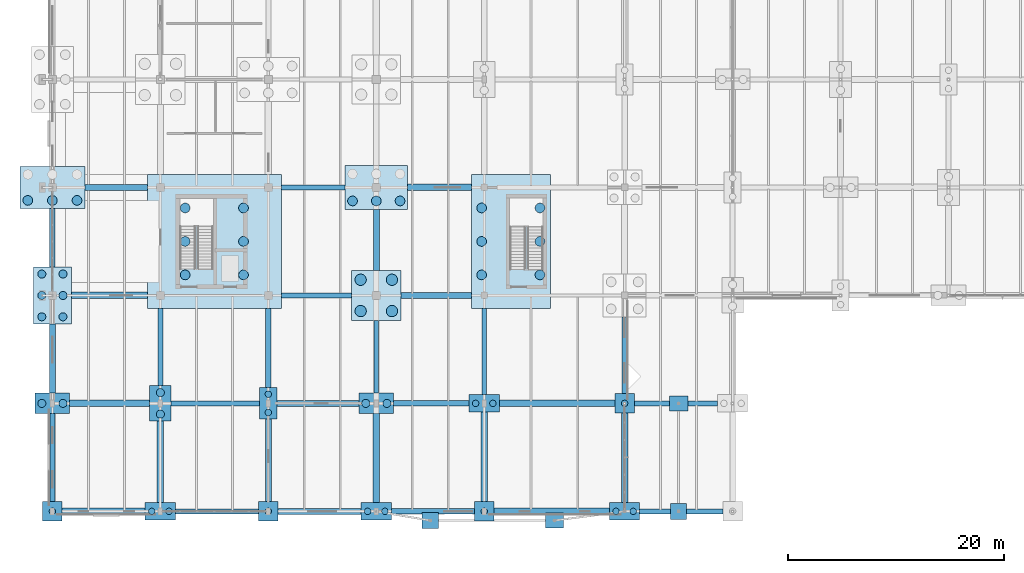
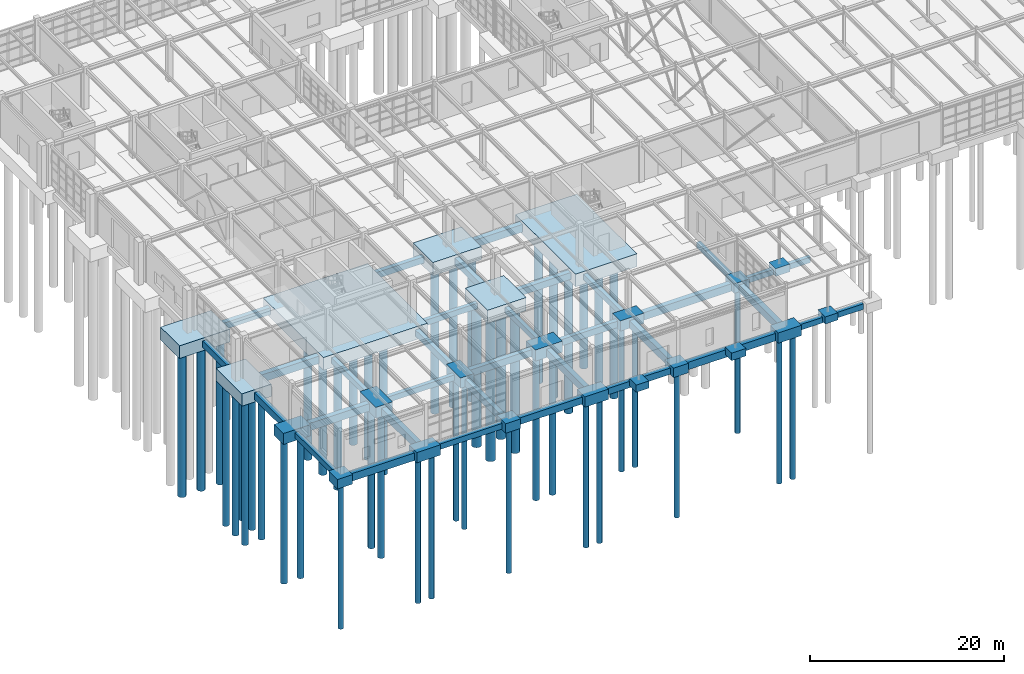
# One storey, part 1 of 145: 54 footings, 48 piles.
"""IFC4 building model written with IfcOpenShell, lengths in metres."""

from ifc_helpers import new_model, si_unit, direction, frame, origin, origin_2d, place, context, subcontext, project, spatial, rectangle, circle, extrude, material, material_profile, profile_set, type_object, element, save


model = new_model("IFC4")

# Units and contexts
model_context = context("Model", 3, precision=1e-05, world=origin(), true_north=direction((0.0, 1.0)))
body_context = subcontext(model_context, "Body", "Model", "MODEL_VIEW")
ifc_project = project(units=[si_unit("LENGTHUNIT", "METRE"), si_unit("AREAUNIT", "SQUARE_METRE"), si_unit("VOLUMEUNIT", "CUBIC_METRE"), si_unit("PLANEANGLEUNIT", "RADIAN"), si_unit("MASSUNIT", "GRAM", prefix="KILO"), si_unit("THERMODYNAMICTEMPERATUREUNIT", "KELVIN"), si_unit("POWERUNIT", "WATT")], contexts=[model_context])

# Site, building, storey
site_placement = place(None, origin())
site = spatial("IfcSite", under=ifc_project, at=site_placement, CompositionType="ELEMENT")
building_placement = place(site_placement, origin())
building = spatial("IfcBuilding", under=site, at=building_placement, Name="Korenveer Ferry Terminal", CompositionType="ELEMENT")
storey_placement = place(building_placement, origin())
storey = spatial("IfcBuildingStorey", under=building, at=storey_placement, Name="L00", CompositionType="ELEMENT", Elevation=0.0)

# Footings
ifc_material_1 = material(Name="Concrete C40/50", Category="concrete")
footing_type_1 = type_object("IfcFootingType", Name="STR-GB-01", PredefinedType="FOOTING_BEAM", material=ifc_material_1)
footing_1_placement = place(storey_placement, frame((35.25, 0.0, -1.14990234375), z_axis=(0.0, 0.0, 1.0), x_axis=(1.0, 0.0, 0.0)))
element("IfcFooting", 1, at=footing_1_placement, inside=storey, type_object=footing_type_1, Name="Ground tie beam 4", PredefinedType="FOOTING_BEAM", context=body_context, shape_type="SweptSolid", body=[
    extrude(rectangle(XDim=7.699951171875, YDim=0.5, at=origin_2d()), origin(), (0.0, 0.0, 1.0), 0.800048828125),
])
footing_2_placement = place(storey_placement, frame((35.10009765625, 10.0, -1.14990234375), z_axis=(0.0, 0.0, 1.0), x_axis=(1.0, 0.0, 0.0)))
element("IfcFooting", 2, at=footing_2_placement, inside=storey, type_object=footing_type_1, Name="Ground tie beam 16", PredefinedType="FOOTING_BEAM", context=body_context, shape_type="SweptSolid", body=[
    extrude(rectangle(XDim=7.0, YDim=0.5, at=origin_2d()), origin(), (0.0, 0.0, 1.0), 0.800048828125),
])
footing_3_placement = place(storey_placement, frame((24.14990234375, 30.0, -1.14990234375), z_axis=(0.0, 0.0, 1.0), x_axis=(1.0, 0.0, 0.0)))
element("IfcFooting", 3, at=footing_3_placement, inside=storey, type_object=footing_type_1, Name="Ground tie beam 40", PredefinedType="FOOTING_BEAM", context=body_context, shape_type="SweptSolid", body=[
    extrude(rectangle(XDim=5.89990234375, YDim=0.5, at=origin_2d()), origin(), (0.0, 0.0, 1.0), 0.800048828125),
])
footing_4_placement = place(storey_placement, frame((0.0, 25.35009765625, -1.14990234375), z_axis=(0.0, 0.0, 1.0), x_axis=(1.0, 0.0, 0.0)))
element("IfcFooting", 4, at=footing_4_placement, inside=storey, type_object=footing_type_1, Name="Ground tie beam 152", PredefinedType="FOOTING_BEAM", context=body_context, shape_type="SweptSolid", body=[
    extrude(rectangle(XDim=0.5, YDim=5.39990234375, at=origin_2d()), origin(), (0.0, 0.0, 1.0), 0.800048828125),
])
footing_5_placement = place(storey_placement, frame((20.0, 15.125, -1.14990234375), z_axis=(0.0, 0.0, 1.0), x_axis=(1.0, 0.0, 0.0)))
element("IfcFooting", 5, at=footing_5_placement, inside=storey, type_object=footing_type_1, Name="Ground tie beam 164", PredefinedType="FOOTING_BEAM", context=body_context, shape_type="SweptSolid", body=[
    extrude(rectangle(XDim=0.5, YDim=7.35009765625, at=origin_2d()), origin(), (0.0, 0.0, 1.0), 0.800048828125),
])
footing_type_2 = type_object("IfcFootingType", Name="STR-GB-02", PredefinedType="FOOTING_BEAM", material=ifc_material_1)
footing_6_placement = place(storey_placement, frame((4.75, 0.0, -1.2998046875), z_axis=(0.0, 0.0, 1.0), x_axis=(1.0, 0.0, 0.0)))
element("IfcFooting", 6, at=footing_6_placement, inside=storey, type_object=footing_type_2, Name="Ground tie beam 1", PredefinedType="FOOTING_BEAM", context=body_context, shape_type="SweptSolid", body=[
    extrude(rectangle(XDim=7.699951171875, YDim=0.60009765625, at=origin_2d()), origin(), (0.0, 0.0, 1.0), 0.949951171875),
])
footing_7_placement = place(storey_placement, frame((46.25, 0.0, -1.2998046875), z_axis=(0.0, 0.0, 1.0), x_axis=(1.0, 0.0, 0.0)))
element("IfcFooting", 7, at=footing_7_placement, inside=storey, type_object=footing_type_2, Name="Ground tie beam 5", PredefinedType="FOOTING_BEAM", context=body_context, shape_type="SweptSolid", body=[
    extrude(rectangle(XDim=10.699951171875, YDim=0.60009765625, at=origin_2d()), origin(), (0.0, 0.0, 1.0), 0.949951171875),
])
footing_8_placement = place(storey_placement, frame((5.300048828125, 10.0, -1.2998046875), z_axis=(0.0, 0.0, 1.0), x_axis=(1.0, 0.0, 0.0)))
element("IfcFooting", 8, at=footing_8_placement, inside=storey, type_object=footing_type_2, Name="Ground tie beam 13", PredefinedType="FOOTING_BEAM", context=body_context, shape_type="SweptSolid", body=[
    extrude(rectangle(XDim=7.39990234375, YDim=0.60009765625, at=origin_2d()), origin(), (0.0, 0.0, 1.0), 0.949951171875),
])
footing_9_placement = place(storey_placement, frame((46.75, 10.0, -1.2998046875), z_axis=(0.0, 0.0, 1.0), x_axis=(1.0, 0.0, 0.0)))
element("IfcFooting", 9, at=footing_9_placement, inside=storey, type_object=footing_type_2, Name="Ground tie beam 17", PredefinedType="FOOTING_BEAM", context=body_context, shape_type="SweptSolid", body=[
    extrude(rectangle(XDim=10.699951171875, YDim=0.60009765625, at=origin_2d()), origin(), (0.0, 0.0, 1.0), 0.949951171875),
])
footing_10_placement = place(storey_placement, frame((5.27490234375, 20.0, -1.2998046875), z_axis=(0.0, 0.0, 1.0), x_axis=(1.0, 0.0, 0.0)))
element("IfcFooting", 10, at=footing_10_placement, inside=storey, type_object=footing_type_2, Name="Ground tie beam 25", PredefinedType="FOOTING_BEAM", context=body_context, shape_type="SweptSolid", body=[
    extrude(rectangle(XDim=7.050048828125, YDim=0.60009765625, at=origin_2d()), origin(), (0.0, 0.0, 1.0), 0.949951171875),
])
footing_11_placement = place(storey_placement, frame((35.85009765625, 30.0, -1.2998046875), z_axis=(0.0, 0.0, 1.0), x_axis=(1.0, 0.0, 0.0)))
element("IfcFooting", 11, at=footing_11_placement, inside=storey, type_object=footing_type_2, Name="Ground tie beam 41", PredefinedType="FOOTING_BEAM", context=body_context, shape_type="SweptSolid", body=[
    extrude(rectangle(XDim=5.89990234375, YDim=0.60009765625, at=origin_2d()), origin(), (0.0, 0.0, 1.0), 0.949951171875),
])
footing_12_placement = place(storey_placement, frame((10.0, 4.574951171875, -1.2998046875), z_axis=(0.0, 0.0, 1.0), x_axis=(1.0, 0.0, 0.0)))
element("IfcFooting", 12, at=footing_12_placement, inside=storey, type_object=footing_type_2, Name="Ground tie beam 157", PredefinedType="FOOTING_BEAM", context=body_context, shape_type="SweptSolid", body=[
    extrude(rectangle(XDim=0.60009765625, YDim=7.550048828125, at=origin_2d()), origin(), (0.0, 0.0, 1.0), 0.949951171875),
])
footing_13_placement = place(storey_placement, frame((30.0, 4.925048828125, -1.2998046875), z_axis=(0.0, 0.0, 1.0), x_axis=(1.0, 0.0, 0.0)))
element("IfcFooting", 13, at=footing_13_placement, inside=storey, type_object=footing_type_2, Name="Ground tie beam 169", PredefinedType="FOOTING_BEAM", context=body_context, shape_type="SweptSolid", body=[
    extrude(rectangle(XDim=0.60009765625, YDim=8.25, at=origin_2d()), origin(), (0.0, 0.0, 1.0), 0.949951171875),
])
for number, where, z_axis, x_axis, name in (
    (14, (40.0, 5.050048828125, -1.2998046875), (0.0, 0.0, 1.0), (1.0, 0.0, 0.0), "Ground tie beam 177"),
    (15, (53.0, 4.949951171875, -1.2998046875), (0.0, 0.0, 1.0), (1.0, 0.0, 0.0), "Ground tie beam 185"),
):
    element("IfcFooting", number, at=place(storey_placement, frame(where, z_axis=z_axis, x_axis=x_axis)), inside=storey, type_object=footing_type_2, Name=name, PredefinedType="FOOTING_BEAM", context=body_context, shape_type="SweptSolid", body=[
        extrude(rectangle(XDim=0.60009765625, YDim=8.300048828125, at=origin_2d()), origin(), (0.0, 0.0, 1.0), 0.949951171875),
    ])
footing_type_3 = type_object("IfcFootingType", Name="STR-GB-03", PredefinedType="FOOTING_BEAM", material=ifc_material_1)
for number, where, z_axis, x_axis, name in (
    (16, (15.25, 0.0, -1.0498046875), (0.0, 0.0, 1.0), (1.0, 0.0, 0.0), "Ground tie beam 2"),
    (17, (58.25, 0.0, -1.0498046875), (0.0, 0.0, 1.0), (1.0, 0.0, 0.0), "Ground tie beam 6"),
):
    element("IfcFooting", number, at=place(storey_placement, frame(where, z_axis=z_axis, x_axis=x_axis)), inside=storey, type_object=footing_type_3, Name=name, PredefinedType="FOOTING_BEAM", context=body_context, shape_type="SweptSolid", body=[
        extrude(rectangle(XDim=7.699951171875, YDim=0.449951171875, at=origin_2d()), origin(), (0.0, 0.0, 1.0), 0.699951171875),
    ])
footing_14_placement = place(storey_placement, frame((15.10009765625, 10.0, -1.0498046875), z_axis=(0.0, 0.0, 1.0), x_axis=(1.0, 0.0, 0.0)))
element("IfcFooting", 18, at=footing_14_placement, inside=storey, type_object=footing_type_3, Name="Ground tie beam 14", PredefinedType="FOOTING_BEAM", context=body_context, shape_type="SweptSolid", body=[
    extrude(rectangle(XDim=8.199951171875, YDim=0.449951171875, at=origin_2d()), origin(), (0.0, 0.0, 1.0), 0.699951171875),
])
footing_15_placement = place(storey_placement, frame((57.75, 10.0, -1.0498046875), z_axis=(0.0, 0.0, 1.0), x_axis=(1.0, 0.0, 0.0)))
element("IfcFooting", 19, at=footing_15_placement, inside=storey, type_object=footing_type_3, Name="Ground tie beam 18", PredefinedType="FOOTING_BEAM", context=body_context, shape_type="SweptSolid", body=[
    extrude(rectangle(XDim=7.699951171875, YDim=0.449951171875, at=origin_2d()), origin(), (0.0, 0.0, 1.0), 0.699951171875),
])
footing_16_placement = place(storey_placement, frame((24.449951171875, 20.0, -1.0498046875), z_axis=(0.0, 0.0, 1.0), x_axis=(1.0, 0.0, 0.0)))
element("IfcFooting", 20, at=footing_16_placement, inside=storey, type_object=footing_type_3, Name="Ground tie beam 26", PredefinedType="FOOTING_BEAM", context=body_context, shape_type="SweptSolid", body=[
    extrude(rectangle(XDim=6.5, YDim=0.449951171875, at=origin_2d()), origin(), (0.0, 0.0, 1.0), 0.699951171875),
])
footing_17_placement = place(storey_placement, frame((0.0, 4.97509765625, -1.0498046875), z_axis=(0.0, 0.0, 1.0), x_axis=(1.0, 0.0, 0.0)))
element("IfcFooting", 21, at=footing_17_placement, inside=storey, type_object=footing_type_3, Name="Ground tie beam 150", PredefinedType="FOOTING_BEAM", context=body_context, shape_type="SweptSolid", body=[
    extrude(rectangle(XDim=0.449951171875, YDim=8.14990234375, at=origin_2d()), origin(), (0.0, 0.0, 1.0), 0.699951171875),
])
footing_18_placement = place(storey_placement, frame((10.0, 15.22509765625, -1.0498046875), z_axis=(0.0, 0.0, 1.0), x_axis=(1.0, 0.0, 0.0)))
element("IfcFooting", 22, at=footing_18_placement, inside=storey, type_object=footing_type_3, Name="Ground tie beam 158", PredefinedType="FOOTING_BEAM", context=body_context, shape_type="SweptSolid", body=[
    extrude(rectangle(XDim=0.449951171875, YDim=7.14990234375, at=origin_2d()), origin(), (0.0, 0.0, 1.0), 0.699951171875),
])
footing_19_placement = place(storey_placement, frame((30.0, 14.324951171875, -1.0498046875), z_axis=(0.0, 0.0, 1.0), x_axis=(1.0, 0.0, 0.0)))
element("IfcFooting", 23, at=footing_19_placement, inside=storey, type_object=footing_type_3, Name="Ground tie beam 170", PredefinedType="FOOTING_BEAM", context=body_context, shape_type="SweptSolid", body=[
    extrude(rectangle(XDim=0.449951171875, YDim=6.75, at=origin_2d()), origin(), (0.0, 0.0, 1.0), 0.699951171875),
])
footing_20_placement = place(storey_placement, frame((40.0, 14.800048828125, -1.0498046875), z_axis=(0.0, 0.0, 1.0), x_axis=(1.0, 0.0, 0.0)))
element("IfcFooting", 24, at=footing_20_placement, inside=storey, type_object=footing_type_3, Name="Ground tie beam 178", PredefinedType="FOOTING_BEAM", context=body_context, shape_type="SweptSolid", body=[
    extrude(rectangle(XDim=0.449951171875, YDim=8.0, at=origin_2d()), origin(), (0.0, 0.0, 1.0), 0.699951171875),
])
footing_21_placement = place(storey_placement, frame((53.0, 14.449951171875, -1.0498046875), z_axis=(0.0, 0.0, 1.0), x_axis=(1.0, 0.0, 0.0)))
element("IfcFooting", 25, at=footing_21_placement, inside=storey, type_object=footing_type_3, Name="Ground tie beam 186", PredefinedType="FOOTING_BEAM", context=body_context, shape_type="SweptSolid", body=[
    extrude(rectangle(XDim=0.449951171875, YDim=7.10009765625, at=origin_2d()), origin(), (0.0, 0.0, 1.0), 0.699951171875),
])
footing_type_4 = type_object("IfcFootingType", Name="STR-GB-04", PredefinedType="FOOTING_BEAM", material=ifc_material_1)
footing_22_placement = place(storey_placement, frame((24.75, 0.0, -1.199951171875), z_axis=(0.0, 0.0, 1.0), x_axis=(1.0, 0.0, 0.0)))
element("IfcFooting", 26, at=footing_22_placement, inside=storey, type_object=footing_type_4, Name="Ground tie beam 3", PredefinedType="FOOTING_BEAM", context=body_context, shape_type="SweptSolid", body=[
    extrude(rectangle(XDim=7.699951171875, YDim=0.550048828125, at=origin_2d()), origin(), (0.0, 0.0, 1.0), 0.85009765625),
])
footing_23_placement = place(storey_placement, frame((24.60009765625, 10.0, -1.199951171875), z_axis=(0.0, 0.0, 1.0), x_axis=(1.0, 0.0, 0.0)))
element("IfcFooting", 27, at=footing_23_placement, inside=storey, type_object=footing_type_4, Name="Ground tie beam 15", PredefinedType="FOOTING_BEAM", context=body_context, shape_type="SweptSolid", body=[
    extrude(rectangle(XDim=7.60009765625, YDim=0.550048828125, at=origin_2d()), origin(), (0.0, 0.0, 1.0), 0.85009765625),
])
footing_24_placement = place(storey_placement, frame((35.550048828125, 20.0, -1.199951171875), z_axis=(0.0, 0.0, 1.0), x_axis=(1.0, 0.0, 0.0)))
element("IfcFooting", 28, at=footing_24_placement, inside=storey, type_object=footing_type_4, Name="Ground tie beam 27", PredefinedType="FOOTING_BEAM", context=body_context, shape_type="SweptSolid", body=[
    extrude(rectangle(XDim=6.5, YDim=0.550048828125, at=origin_2d()), origin(), (0.0, 0.0, 1.0), 0.85009765625),
])
footing_25_placement = place(storey_placement, frame((5.89990234375, 30.0, -1.199951171875), z_axis=(0.0, 0.0, 1.0), x_axis=(1.0, 0.0, 0.0)))
element("IfcFooting", 29, at=footing_25_placement, inside=storey, type_object=footing_type_4, Name="Ground tie beam 39", PredefinedType="FOOTING_BEAM", context=body_context, shape_type="SweptSolid", body=[
    extrude(rectangle(XDim=5.800048828125, YDim=0.550048828125, at=origin_2d()), origin(), (0.0, 0.0, 1.0), 0.85009765625),
])
footing_26_placement = place(storey_placement, frame((0.0, 14.14990234375, -1.199951171875), z_axis=(0.0, 0.0, 1.0), x_axis=(1.0, 0.0, 0.0)))
element("IfcFooting", 30, at=footing_26_placement, inside=storey, type_object=footing_type_4, Name="Ground tie beam 151", PredefinedType="FOOTING_BEAM", context=body_context, shape_type="SweptSolid", body=[
    extrude(rectangle(XDim=0.550048828125, YDim=6.39990234375, at=origin_2d()), origin(), (0.0, 0.0, 1.0), 0.85009765625),
])
footing_27_placement = place(storey_placement, frame((20.0, 4.72509765625, -1.199951171875), z_axis=(0.0, 0.0, 1.0), x_axis=(1.0, 0.0, 0.0)))
element("IfcFooting", 31, at=footing_27_placement, inside=storey, type_object=footing_type_4, Name="Ground tie beam 163", PredefinedType="FOOTING_BEAM", context=body_context, shape_type="SweptSolid", body=[
    extrude(rectangle(XDim=0.550048828125, YDim=7.64990234375, at=origin_2d()), origin(), (0.0, 0.0, 1.0), 0.85009765625),
])
footing_28_placement = place(storey_placement, frame((30.0, 25.125, -1.199951171875), z_axis=(0.0, 0.0, 1.0), x_axis=(1.0, 0.0, 0.0)))
element("IfcFooting", 32, at=footing_28_placement, inside=storey, type_object=footing_type_4, Name="Ground tie beam 171", PredefinedType="FOOTING_BEAM", context=body_context, shape_type="SweptSolid", body=[
    extrude(rectangle(XDim=0.550048828125, YDim=5.64990234375, at=origin_2d()), origin(), (0.0, 0.0, 1.0), 0.85009765625),
])
ifc_material_2 = material(Name="Concrete C45/55", Category="concrete")
footing_type_5 = type_object("IfcFootingType", Name="STR-PC-01", PredefinedType="PILE_CAP", material=ifc_material_2)
for number, where, z_axis, x_axis, name in (
    (33, (0.0, 0.0, -1.2001953125), (0.0, 0.0, 1.0), (1.0, 0.0, 0.0), "Pile cap PC-01 at (0,0)"),
    (34, (20.0, 0.0, -1.2001953125), (0.0, 0.0, 1.0), (1.0, 0.0, 0.0), "Pile cap PC-01 at (20,0)"),
    (35, (40.0, 0.0, -1.2001953125), (0.0, 0.0, 1.0), (1.0, 0.0, 0.0), "Pile cap PC-01 at (40,0)"),
    (36, (53.0, 10.0, -1.2001953125), (0.0, 0.0, 1.0), (1.0, 0.0, 0.0), "Pile cap PC-01 at (53,10)"),
):
    element("IfcFooting", number, at=place(storey_placement, frame(where, z_axis=z_axis, x_axis=x_axis)), inside=storey, type_object=footing_type_5, Name=name, PredefinedType="PILE_CAP", context=body_context, shape_type="SweptSolid", body=[
        extrude(rectangle(XDim=1.800048828125, YDim=1.800048828125, at=origin_2d()), origin(), (0.0, 0.0, 1.0), 1.199951171875),
    ])
footing_type_6 = type_object("IfcFootingType", Name="STR-PC-02", PredefinedType="PILE_CAP", material=ifc_material_2)
for number, where, z_axis, x_axis, name in (
    (37, (10.0, 0.0, -1.2998046875), (0.0, 0.0, 1.0), (1.0, 0.0, 0.0), "Pile cap PC-02 at (10,0)"),
    (38, (30.0, 0.0, -1.2998046875), (0.0, 0.0, 1.0), (1.0, 0.0, 0.0), "Pile cap PC-02 at (30,0)"),
    (39, (40.0, 10.0, -1.2998046875), (0.0, 0.0, 1.0), (1.0, 0.0, 0.0), "Pile cap PC-02 at (40,10)"),
    (40, (53.0, 0.0, -1.2998046875), (0.0, 0.0, 1.0), (1.0, 0.0, 0.0), "Pile cap PC-02 at (53,0)"),
):
    element("IfcFooting", number, at=place(storey_placement, frame(where, z_axis=z_axis, x_axis=x_axis)), inside=storey, type_object=footing_type_6, Name=name, PredefinedType="PILE_CAP", context=body_context, shape_type="SweptSolid", body=[
        extrude(rectangle(XDim=2.800048828125, YDim=1.60009765625, at=origin_2d()), origin(), (0.0, 0.0, 1.0), 1.300048828125),
    ])
footing_type_7 = type_object("IfcFootingType", Name="STR-PC-03", PredefinedType="PILE_CAP", material=ifc_material_2)
footing_29_placement = place(storey_placement, frame((20.0, 10.0, -1.2998046875), z_axis=(0.0, 0.0, 1.0), x_axis=(1.0, 0.0, 0.0)))
element("IfcFooting", 41, at=footing_29_placement, inside=storey, type_object=footing_type_7, Name="Pile cap PC-03 at (20,10)", PredefinedType="PILE_CAP", context=body_context, shape_type="SweptSolid", body=[
    extrude(rectangle(XDim=1.60009765625, YDim=2.89990234375, at=origin_2d()), origin(), (0.0, 0.0, 1.0), 1.300048828125),
])
footing_type_8 = type_object("IfcFootingType", Name="STR-PC-04", PredefinedType="PILE_CAP", material=ifc_material_2)
for number, where, z_axis, x_axis, name in (
    (42, (0.0, 10.0, -1.39990234375), (0.0, 0.0, 1.0), (1.0, 0.0, 0.0), "Pile cap PC-04 at (0,10)"),
    (43, (30.0, 10.0, -1.39990234375), (0.0, 0.0, 1.0), (1.0, 0.0, 0.0), "Pile cap PC-04 at (30,10)"),
):
    element("IfcFooting", number, at=place(storey_placement, frame(where, z_axis=z_axis, x_axis=x_axis)), inside=storey, type_object=footing_type_8, Name=name, PredefinedType="PILE_CAP", context=body_context, shape_type="SweptSolid", body=[
        extrude(rectangle(XDim=3.199951171875, YDim=1.89990234375, at=origin_2d()), origin(), (0.0, 0.0, 1.0), 1.39990234375),
    ])
footing_type_9 = type_object("IfcFootingType", Name="STR-PC-05", PredefinedType="PILE_CAP", material=ifc_material_2)
footing_30_placement = place(storey_placement, frame((10.0, 10.0, -1.39990234375), z_axis=(0.0, 0.0, 1.0), x_axis=(1.0, 0.0, 0.0)))
element("IfcFooting", 44, at=footing_30_placement, inside=storey, type_object=footing_type_9, Name="Pile cap PC-05 at (10,10)", PredefinedType="PILE_CAP", context=body_context, shape_type="SweptSolid", body=[
    extrude(rectangle(XDim=2.0, YDim=3.300048828125, at=origin_2d()), origin(), (0.0, 0.0, 1.0), 1.39990234375),
])
footing_type_10 = type_object("IfcFootingType", Name="STR-PC-12", PredefinedType="PILE_CAP", material=ifc_material_2)
footing_31_placement = place(storey_placement, frame((0.0, 20.0, -1.5498046875), z_axis=(0.0, 0.0, 1.0), x_axis=(1.0, 0.0, 0.0)))
element("IfcFooting", 45, at=footing_31_placement, inside=storey, type_object=footing_type_10, Name="Pile cap PC-12 at (0,20)", PredefinedType="PILE_CAP", context=body_context, shape_type="SweptSolid", body=[
    extrude(rectangle(XDim=3.5, YDim=5.300048828125, at=origin_2d()), origin(), (0.0, 0.0, 1.0), 1.550048828125),
])
footing_type_11 = type_object("IfcFootingType", Name="STR-PC-13", PredefinedType="PILE_CAP", material=ifc_material_2)
footing_32_placement = place(storey_placement, frame((0.0, 30.0, -1.60009765625), z_axis=(0.0, 0.0, 1.0), x_axis=(1.0, 0.0, 0.0)))
element("IfcFooting", 46, at=footing_32_placement, inside=storey, type_object=footing_type_11, Name="Pile cap PC-13 at (0,30)", PredefinedType="PILE_CAP", context=body_context, shape_type="SweptSolid", body=[
    extrude(rectangle(XDim=6.0, YDim=3.89990234375, at=origin_2d()), origin(), (0.0, 0.0, 1.0), 1.60009765625),
])
footing_type_12 = type_object("IfcFootingType", Name="STR-PC-15", PredefinedType="PILE_CAP", material=ifc_material_2)
footing_33_placement = place(storey_placement, frame((30.0, 20.0, -1.64990234375), z_axis=(0.0, 0.0, 1.0), x_axis=(1.0, 0.0, 0.0)))
element("IfcFooting", 47, at=footing_33_placement, inside=storey, type_object=footing_type_12, Name="Pile cap PC-15 at (30,20)", PredefinedType="PILE_CAP", context=body_context, shape_type="SweptSolid", body=[
    extrude(rectangle(XDim=4.60009765625, YDim=4.60009765625, at=origin_2d()), origin(), (0.0, 0.0, 1.0), 1.64990234375),
])
footing_type_13 = type_object("IfcFootingType", Name="STR-PC-16", PredefinedType="PILE_CAP", material=ifc_material_2)
footing_34_placement = place(storey_placement, frame((30.0, 30.0, -1.64990234375), z_axis=(0.0, 0.0, 1.0), x_axis=(1.0, 0.0, 0.0)))
element("IfcFooting", 48, at=footing_34_placement, inside=storey, type_object=footing_type_13, Name="Pile cap PC-16 at (30,30)", PredefinedType="PILE_CAP", context=body_context, shape_type="SweptSolid", body=[
    extrude(rectangle(XDim=5.800048828125, YDim=4.10009765625, at=origin_2d()), origin(), (0.0, 0.0, 1.0), 1.64990234375),
])
footing_type_14 = type_object("IfcFootingType", Name="STR-PC-MAT-K1", PredefinedType="PILE_CAP", material=ifc_material_2)
footing_35_placement = place(storey_placement, frame((15.0, 25.0, -1.60009765625), z_axis=(0.0, 0.0, 1.0), x_axis=(1.0, 0.0, 0.0)))
element("IfcFooting", 49, at=footing_35_placement, inside=storey, type_object=footing_type_14, Name="Core pile cap mat K1", PredefinedType="PILE_CAP", context=body_context, shape_type="SweptSolid", body=[
    extrude(rectangle(XDim=12.39990234375, YDim=12.39990234375, at=origin_2d()), origin(), (0.0, 0.0, 1.0), 1.60009765625),
])
footing_type_15 = type_object("IfcFootingType", Name="STR-PC-MAT-K9", PredefinedType="PILE_CAP", material=ifc_material_2)
footing_36_placement = place(storey_placement, frame((42.4599609375, 25.0, -1.60009765625), z_axis=(0.0, 0.0, 1.0), x_axis=(1.0, 0.0, 0.0)))
element("IfcFooting", 50, at=footing_36_placement, inside=storey, type_object=footing_type_15, Name="Core pile cap mat K9", PredefinedType="PILE_CAP", context=body_context, shape_type="SweptSolid", body=[
    extrude(rectangle(XDim=7.320068359375, YDim=12.39990234375, at=origin_2d()), origin(), (0.0, 0.0, 1.0), 1.60009765625),
])
footing_type_16 = type_object("IfcFootingType", Name="STR-PF-01", PredefinedType="PAD_FOOTING", material=ifc_material_2)
for number, where, z_axis, x_axis, name in (
    (51, (35.0, -0.85009765625, -0.89990234375), (0.0, 0.0, 1.0), (1.0, 0.0, 0.0), "Colonnade pad footing 1"),
    (52, (58.0, 0.0, -0.89990234375), (0.0, 0.0, 1.0), (1.0, 0.0, 0.0), "Colonnade pad footing 3"),
):
    element("IfcFooting", number, at=place(storey_placement, frame(where, z_axis=z_axis, x_axis=x_axis)), inside=storey, type_object=footing_type_16, Name=name, PredefinedType="PAD_FOOTING", context=body_context, shape_type="SweptSolid", body=[
        extrude(rectangle(XDim=1.5, YDim=1.5, at=origin_2d()), origin(), (0.0, 0.0, 1.0), 0.89990234375),
    ])
footing_type_17 = type_object("IfcFootingType", Name="STR-PF-02", PredefinedType="PAD_FOOTING", material=ifc_material_2)
for number, where, z_axis, x_axis, name in (
    (53, (46.5, -0.85009765625, -0.9501953125), (0.0, 0.0, 1.0), (1.0, 0.0, 0.0), "Colonnade pad footing 2"),
    (54, (58.0, 10.0, -0.9501953125), (0.0, 0.0, 1.0), (1.0, 0.0, 0.0), "Colonnade pad footing 4"),
):
    element("IfcFooting", number, at=place(storey_placement, frame(where, z_axis=z_axis, x_axis=x_axis)), inside=storey, type_object=footing_type_17, Name=name, PredefinedType="PAD_FOOTING", context=body_context, shape_type="SweptSolid", body=[
        extrude(rectangle(XDim=1.699951171875, YDim=1.39990234375, at=origin_2d()), origin(), (0.0, 0.0, 1.0), 0.949951171875),
    ])

# Piles
ifc_material_profile_1 = material_profile(ifc_material_1, circle(Radius=0.52490234375, at=origin_2d()), Name="PILE D1050")
ifc_profile_set_1 = profile_set([ifc_material_profile_1], Name="Concrete C40/50")
pile_type_1 = type_object("IfcPileType", Name="STR-PL-D1050", PredefinedType="BORED", material=ifc_profile_set_1)
for number, where, z_axis, x_axis, name in (
    (55, (28.550048828125, 18.550048828125, -1.550048828125), (0.0, 0.0, -1.0), (1.0, 0.0, 0.0), "Foundation pile 139"),
    (56, (31.449951171875, 18.550048828125, -1.550048828125), (0.0, 0.0, -1.0), (1.0, 0.0, 0.0), "Foundation pile 140"),
    (57, (28.550048828125, 21.449951171875, -1.550048828125), (0.0, 0.0, -1.0), (1.0, 0.0, 0.0), "Foundation pile 141"),
    (58, (31.449951171875, 21.449951171875, -1.550048828125), (0.0, 0.0, -1.0), (1.0, 0.0, 0.0), "Foundation pile 142"),
):
    element("IfcPile", number, at=place(storey_placement, frame(where, z_axis=z_axis, x_axis=x_axis)), inside=storey, type_object=pile_type_1, Name=name, PredefinedType="BORED", context=body_context, shape_type="SweptSolid", body=[
        extrude(circle(Radius=0.52490234375, at=origin_2d()), origin(), (0.0, 0.0, 1.0), 17.949951171875),
    ])
ifc_material_profile_2 = material_profile(ifc_material_1, circle(Radius=0.300048828125, at=origin_2d()), Name="PILE D600")
ifc_profile_set_2 = profile_set([ifc_material_profile_2], Name="Concrete C40/50")
pile_type_2 = type_object("IfcPileType", Name="STR-PL-D600", PredefinedType="DRIVEN", material=ifc_profile_set_2)
pile_1_placement = place(storey_placement, frame((0.0, 0.0, -1.10009765625), z_axis=(0.0, 0.0, -1.0), x_axis=(1.0, 0.0, 0.0)))
element("IfcPile", 59, at=pile_1_placement, inside=storey, type_object=pile_type_2, Name="Foundation pile 73", PredefinedType="DRIVEN", context=body_context, shape_type="SweptSolid", body=[
    extrude(circle(Radius=0.300048828125, at=origin_2d()), origin(), (0.0, 0.0, 1.0), 18.39990234375),
])
for number, where, z_axis, x_axis, name in (
    (60, (9.199951171875, 0.0, -1.199951171875), (0.0, 0.0, -1.0), (1.0, 0.0, 0.0), "Foundation pile 102"),
    (61, (10.800048828125, 0.0, -1.199951171875), (0.0, 0.0, -1.0), (1.0, 0.0, 0.0), "Foundation pile 103"),
):
    element("IfcPile", number, at=place(storey_placement, frame(where, z_axis=z_axis, x_axis=x_axis)), inside=storey, type_object=pile_type_2, Name=name, PredefinedType="DRIVEN", context=body_context, shape_type="SweptSolid", body=[
        extrude(circle(Radius=0.300048828125, at=origin_2d()), origin(), (0.0, 0.0, 1.0), 18.300048828125),
    ])
pile_2_placement = place(storey_placement, frame((20.0, 0.0, -1.10009765625), z_axis=(0.0, 0.0, -1.0), x_axis=(1.0, 0.0, 0.0)))
element("IfcPile", 62, at=pile_2_placement, inside=storey, type_object=pile_type_2, Name="Foundation pile 118", PredefinedType="DRIVEN", context=body_context, shape_type="SweptSolid", body=[
    extrude(circle(Radius=0.300048828125, at=origin_2d()), origin(), (0.0, 0.0, 1.0), 18.39990234375),
])
for number, where, z_axis, x_axis, name in (
    (63, (20.0, 9.14990234375, -1.199951171875), (0.0, 0.0, -1.0), (1.0, 0.0, 0.0), "Foundation pile 119"),
    (64, (20.0, 10.85009765625, -1.199951171875), (0.0, 0.0, -1.0), (1.0, 0.0, 0.0), "Foundation pile 120"),
    (65, (29.199951171875, 0.0, -1.199951171875), (0.0, 0.0, -1.0), (1.0, 0.0, 0.0), "Foundation pile 135"),
    (66, (30.800048828125, 0.0, -1.199951171875), (0.0, 0.0, -1.0), (1.0, 0.0, 0.0), "Foundation pile 136"),
):
    element("IfcPile", number, at=place(storey_placement, frame(where, z_axis=z_axis, x_axis=x_axis)), inside=storey, type_object=pile_type_2, Name=name, PredefinedType="DRIVEN", context=body_context, shape_type="SweptSolid", body=[
        extrude(circle(Radius=0.300048828125, at=origin_2d()), origin(), (0.0, 0.0, 1.0), 18.300048828125),
    ])
pile_3_placement = place(storey_placement, frame((40.0, 0.0, -1.10009765625), z_axis=(0.0, 0.0, -1.0), x_axis=(1.0, 0.0, 0.0)))
element("IfcPile", 67, at=pile_3_placement, inside=storey, type_object=pile_type_2, Name="Foundation pile 173", PredefinedType="DRIVEN", context=body_context, shape_type="SweptSolid", body=[
    extrude(circle(Radius=0.300048828125, at=origin_2d()), origin(), (0.0, 0.0, 1.0), 18.39990234375),
])
for number, where, z_axis, x_axis, name in (
    (68, (39.199951171875, 10.0, -1.199951171875), (0.0, 0.0, -1.0), (1.0, 0.0, 0.0), "Foundation pile 174"),
    (69, (40.800048828125, 10.0, -1.199951171875), (0.0, 0.0, -1.0), (1.0, 0.0, 0.0), "Foundation pile 175"),
    (70, (52.199951171875, 0.0, -1.199951171875), (0.0, 0.0, -1.0), (1.0, 0.0, 0.0), "Foundation pile 196"),
    (71, (53.800048828125, 0.0, -1.199951171875), (0.0, 0.0, -1.0), (1.0, 0.0, 0.0), "Foundation pile 197"),
):
    element("IfcPile", number, at=place(storey_placement, frame(where, z_axis=z_axis, x_axis=x_axis)), inside=storey, type_object=pile_type_2, Name=name, PredefinedType="DRIVEN", context=body_context, shape_type="SweptSolid", body=[
        extrude(circle(Radius=0.300048828125, at=origin_2d()), origin(), (0.0, 0.0, 1.0), 18.300048828125),
    ])
pile_4_placement = place(storey_placement, frame((53.0, 10.0, -1.10009765625), z_axis=(0.0, 0.0, -1.0), x_axis=(1.0, 0.0, 0.0)))
element("IfcPile", 72, at=pile_4_placement, inside=storey, type_object=pile_type_2, Name="Foundation pile 198", PredefinedType="DRIVEN", context=body_context, shape_type="SweptSolid", body=[
    extrude(circle(Radius=0.300048828125, at=origin_2d()), origin(), (0.0, 0.0, 1.0), 18.39990234375),
])
ifc_material_profile_3 = material_profile(ifc_material_1, circle(Radius=0.375, at=origin_2d()), Name="PILE D750")
ifc_profile_set_3 = profile_set([ifc_material_profile_3], Name="Concrete C40/50")
pile_type_3 = type_object("IfcPileType", Name="STR-PL-D750", PredefinedType="BORED", material=ifc_profile_set_3)
for number, where, z_axis, x_axis, name in (
    (73, (-0.97998046875, 10.0, -1.300048828125), (0.0, 0.0, -1.0), (1.0, 0.0, 0.0), "Foundation pile 74"),
    (74, (0.97998046875, 10.0, -1.300048828125), (0.0, 0.0, -1.0), (1.0, 0.0, 0.0), "Foundation pile 75"),
):
    element("IfcPile", number, at=place(storey_placement, frame(where, z_axis=z_axis, x_axis=x_axis)), inside=storey, type_object=pile_type_3, Name=name, PredefinedType="BORED", context=body_context, shape_type="SweptSolid", body=[
        extrude(circle(Radius=0.375, at=origin_2d()), origin(), (0.0, 0.0, 1.0), 18.199951171875),
    ])
for number, where, z_axis, x_axis, name in (
    (75, (-0.97998046875, 18.02001953125, -1.449951171875), (0.0, 0.0, -1.0), (1.0, 0.0, 0.0), "Foundation pile 76"),
    (76, (0.97998046875, 18.02001953125, -1.449951171875), (0.0, 0.0, -1.0), (1.0, 0.0, 0.0), "Foundation pile 77"),
    (77, (-0.97998046875, 20.0, -1.449951171875), (0.0, 0.0, -1.0), (1.0, 0.0, 0.0), "Foundation pile 78"),
    (78, (0.97998046875, 20.0, -1.449951171875), (0.0, 0.0, -1.0), (1.0, 0.0, 0.0), "Foundation pile 79"),
    (79, (-0.97998046875, 21.97998046875, -1.449951171875), (0.0, 0.0, -1.0), (1.0, 0.0, 0.0), "Foundation pile 80"),
    (80, (0.97998046875, 21.97998046875, -1.449951171875), (0.0, 0.0, -1.0), (1.0, 0.0, 0.0), "Foundation pile 81"),
):
    element("IfcPile", number, at=place(storey_placement, frame(where, z_axis=z_axis, x_axis=x_axis)), inside=storey, type_object=pile_type_3, Name=name, PredefinedType="BORED", context=body_context, shape_type="SweptSolid", body=[
        extrude(circle(Radius=0.375, at=origin_2d()), origin(), (0.0, 0.0, 1.0), 18.050048828125),
    ])
for number, where, z_axis, x_axis, name in (
    (81, (10.0, 9.0, -1.300048828125), (0.0, 0.0, -1.0), (1.0, 0.0, 0.0), "Foundation pile 104"),
    (82, (10.0, 11.0, -1.300048828125), (0.0, 0.0, -1.0), (1.0, 0.0, 0.0), "Foundation pile 105"),
    (83, (29.02001953125, 10.0, -1.300048828125), (0.0, 0.0, -1.0), (1.0, 0.0, 0.0), "Foundation pile 137"),
    (84, (30.97998046875, 10.0, -1.300048828125), (0.0, 0.0, -1.0), (1.0, 0.0, 0.0), "Foundation pile 138"),
):
    element("IfcPile", number, at=place(storey_placement, frame(where, z_axis=z_axis, x_axis=x_axis)), inside=storey, type_object=pile_type_3, Name=name, PredefinedType="BORED", context=body_context, shape_type="SweptSolid", body=[
        extrude(circle(Radius=0.375, at=origin_2d()), origin(), (0.0, 0.0, 1.0), 18.199951171875),
    ])
ifc_material_profile_4 = material_profile(ifc_material_1, circle(Radius=0.449951171875, at=origin_2d()), Name="PILE D900")
ifc_profile_set_4 = profile_set([ifc_material_profile_4], Name="Concrete C40/50")
pile_type_4 = type_object("IfcPileType", Name="STR-PL-D900", PredefinedType="BORED", material=ifc_profile_set_4)
for number, where, z_axis, x_axis, name in (
    (85, (12.300048828125, 21.89990234375, -1.5), (0.0, 0.0, -1.0), (1.0, 0.0, 0.0), "Core foundation pile 1"),
    (86, (17.699951171875, 21.89990234375, -1.5), (0.0, 0.0, -1.0), (1.0, 0.0, 0.0), "Core foundation pile 2"),
    (87, (12.300048828125, 25.0, -1.5), (0.0, 0.0, -1.0), (1.0, 0.0, 0.0), "Core foundation pile 3"),
    (88, (17.699951171875, 25.0, -1.5), (0.0, 0.0, -1.0), (1.0, 0.0, 0.0), "Core foundation pile 4"),
    (89, (12.300048828125, 28.10009765625, -1.5), (0.0, 0.0, -1.0), (1.0, 0.0, 0.0), "Core foundation pile 5"),
    (90, (17.699951171875, 28.10009765625, -1.5), (0.0, 0.0, -1.0), (1.0, 0.0, 0.0), "Core foundation pile 6"),
    (91, (39.760009765625, 21.89990234375, -1.5), (0.0, 0.0, -1.0), (1.0, 0.0, 0.0), "Core foundation pile 49"),
    (92, (45.159912109375, 21.89990234375, -1.5), (0.0, 0.0, -1.0), (1.0, 0.0, 0.0), "Core foundation pile 50"),
    (93, (39.760009765625, 25.0, -1.5), (0.0, 0.0, -1.0), (1.0, 0.0, 0.0), "Core foundation pile 51"),
    (94, (45.159912109375, 25.0, -1.5), (0.0, 0.0, -1.0), (1.0, 0.0, 0.0), "Core foundation pile 52"),
    (95, (39.760009765625, 28.10009765625, -1.5), (0.0, 0.0, -1.0), (1.0, 0.0, 0.0), "Core foundation pile 53"),
    (96, (45.159912109375, 28.10009765625, -1.5), (0.0, 0.0, -1.0), (1.0, 0.0, 0.0), "Core foundation pile 54"),
    (97, (-2.280029296875, 28.800048828125, -1.5), (0.0, 0.0, -1.0), (1.0, 0.0, 0.0), "Foundation pile 82"),
    (98, (0.0, 28.800048828125, -1.5), (0.0, 0.0, -1.0), (1.0, 0.0, 0.0), "Foundation pile 83"),
    (99, (2.280029296875, 28.800048828125, -1.5), (0.0, 0.0, -1.0), (1.0, 0.0, 0.0), "Foundation pile 84"),
):
    element("IfcPile", number, at=place(storey_placement, frame(where, z_axis=z_axis, x_axis=x_axis)), inside=storey, type_object=pile_type_4, Name=name, PredefinedType="BORED", context=body_context, shape_type="SweptSolid", body=[
        extrude(circle(Radius=0.449951171875, at=origin_2d()), origin(), (0.0, 0.0, 1.0), 18.0),
    ])
for number, where, z_axis, x_axis, name in (
    (100, (27.800048828125, 28.75, -1.550048828125), (0.0, 0.0, -1.0), (1.0, 0.0, 0.0), "Foundation pile 143"),
    (101, (30.0, 28.75, -1.550048828125), (0.0, 0.0, -1.0), (1.0, 0.0, 0.0), "Foundation pile 144"),
    (102, (32.199951171875, 28.75, -1.550048828125), (0.0, 0.0, -1.0), (1.0, 0.0, 0.0), "Foundation pile 145"),
):
    element("IfcPile", number, at=place(storey_placement, frame(where, z_axis=z_axis, x_axis=x_axis)), inside=storey, type_object=pile_type_4, Name=name, PredefinedType="BORED", context=body_context, shape_type="SweptSolid", body=[
        extrude(circle(Radius=0.449951171875, at=origin_2d()), origin(), (0.0, 0.0, 1.0), 17.949951171875),
    ])

save(model, "model.ifc")
